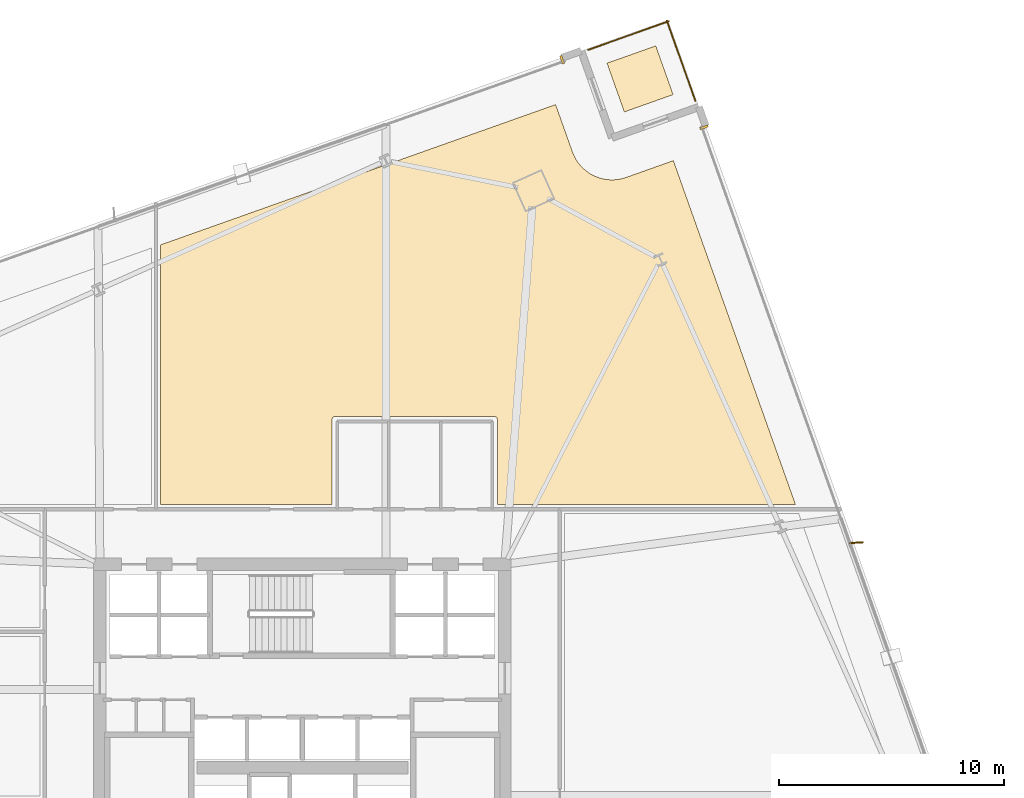
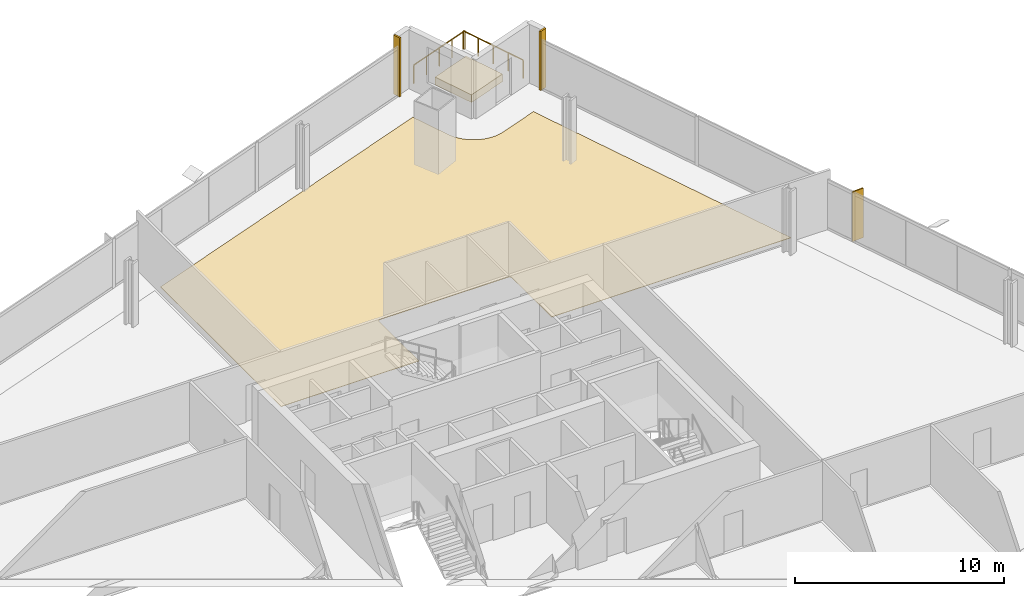
# One storey, part 33 of 33: 4 coverings, 2 railings, 1 shading device.
"""IFC4 building model written with IfcOpenShell, lengths in metres."""

from ifc_helpers import new_model, si_unit, direction, frame, origin, origin_2d, place, context, subcontext, project, spatial, polyline, rectangle, outline, extrude, source, transform, mapped, material, layer, layer_set, type_object, element, save


model = new_model("IFC4")

# Units and contexts
model_context = context("Model", 3, precision=1e-05, world=origin(), true_north=direction((0.0, 1.0)))
body_context = subcontext(model_context, "Body", "Model", "MODEL_VIEW")
ifc_project = project(units=[si_unit("LENGTHUNIT", "METRE"), si_unit("AREAUNIT", "SQUARE_METRE"), si_unit("VOLUMEUNIT", "CUBIC_METRE"), si_unit("PLANEANGLEUNIT", "RADIAN"), si_unit("MASSUNIT", "GRAM", prefix="KILO")], contexts=[model_context])

# Site, building, storey
site_placement = place(None, origin())
site = spatial("IfcSite", under=ifc_project, at=site_placement, CompositionType="ELEMENT")
building_placement = place(site_placement, origin())
building = spatial("IfcBuilding", under=site, at=building_placement, Name="Haldenkirk Collegiate Tower", CompositionType="ELEMENT")
storey_placement = place(building_placement, frame((0.0, 0.0, 94.199951171875)))
storey = spatial("IfcBuildingStorey", under=building, at=storey_placement, Name="L22", CompositionType="ELEMENT", Elevation=94.199951171875)

# Coverings
ifc_material_1 = material(Name="Engineered collegiate oak acoustic flooring", Category="wood")
ifc_layer_1 = layer(ifc_material_1, 0.02197265625)
ifc_layer_set_1 = layer_set([ifc_layer_1], Name="Engineered collegiate oak acoustic flooring")
covering_type_1 = type_object("IfcCoveringType", Name="COV-FLOOR-TIMBER", PredefinedType="FLOORING", material=ifc_layer_set_1)
covering_1_placement = place(storey_placement, origin())
element("IfcCovering", 1, at=covering_1_placement, inside=storey, type_object=covering_type_1, Name="L22 academic room finish 07", PredefinedType="FLOORING", context=body_context, shape_type="SweptSolid", body=[
    extrude(outline(polyline([(47.262939453125, 54.4384765625), (48.00927734375, 52.3369140625), (48.01123046875, 52.33154296875), (48.07666015625, 52.172607421875), (48.08154296875, 52.162109375), (48.162109375, 52.01025390625), (48.168212890625, 52.0), (48.263427734375, 51.857177734375), (48.2705078125, 51.84765625), (48.37890625, 51.714599609375), (48.386962890625, 51.705810546875), (48.508056640625, 51.584228515625), (48.5166015625, 51.576416015625), (48.649169921875, 51.467041015625), (48.65869140625, 51.4599609375), (48.801025390625, 51.3642578125), (48.811279296875, 51.358154296875), (48.962646484375, 51.27685546875), (48.97314453125, 51.271728515625), (49.131591796875, 51.20556640625), (49.142822265625, 51.20166015625), (49.306884765625, 51.1513671875), (49.318359375, 51.148681640625), (49.48681640625, 51.11474609375), (49.498291015625, 51.11279296875), (49.669189453125, 51.095703125), (49.680908203125, 51.094970703125), (49.852783203125, 51.094482421875), (49.864501953125, 51.09521484375), (50.035400390625, 51.111572265625), (50.047119140625, 51.11328125), (50.2158203125, 51.146240234375), (50.227294921875, 51.149169921875), (50.3916015625, 51.19873046875), (50.397216796875, 51.200439453125), (52.49853515625, 51.94677734375), (57.930419921875, 36.64990234375), (44.669921875, 36.64990234375), (44.669921875, 40.449951171875), (44.66943359375, 40.4619140625), (44.667724609375, 40.473388671875), (44.664794921875, 40.48486328125), (44.660888671875, 40.495849609375), (44.65576171875, 40.506591796875), (44.64990234375, 40.5166015625), (44.642822265625, 40.526123046875), (44.635009765625, 40.534912109375), (44.626220703125, 40.542724609375), (44.61669921875, 40.5498046875), (44.606689453125, 40.555908203125), (44.595947265625, 40.560791015625), (44.584716796875, 40.564697265625), (44.573486328125, 40.567626953125), (44.561767578125, 40.5693359375), (44.550048828125, 40.570068359375), (37.449951171875, 40.570068359375), (37.438232421875, 40.5693359375), (37.426513671875, 40.567626953125), (37.415283203125, 40.564697265625), (37.404052734375, 40.560791015625), (37.393310546875, 40.555908203125), (37.38330078125, 40.5498046875), (37.373779296875, 40.542724609375), (37.364990234375, 40.534912109375), (37.357177734375, 40.526123046875), (37.35009765625, 40.5166015625), (37.34423828125, 40.506591796875), (37.339111328125, 40.495849609375), (37.335205078125, 40.48486328125), (37.332275390625, 40.473388671875), (37.33056640625, 40.4619140625), (37.330078125, 40.449951171875), (37.330078125, 36.64990234375), (29.699951171875, 36.64990234375), (29.699951171875, 48.201904296875), (47.262939453125, 54.4384765625)])), origin(), (0.0, 0.0, 1.0), 0.02197265625),
])
ifc_material_2 = material(Name="Precast concrete f'c 40 MPa", Category="concrete")
ifc_layer_2 = layer(ifc_material_2, 0.449951171875)
ifc_layer_set_2 = layer_set([ifc_layer_2], Name="Precast concrete f'c 40 MPa")
covering_type_2 = type_object("IfcCoveringType", Name="COV-PLANTER-450", PredefinedType="USERDEFINED", material=ifc_layer_set_2)
covering_2_placement = place(storey_placement, origin())
element("IfcCovering", 2, at=covering_2_placement, inside=storey, type_object=covering_type_2, Name="L22 planted garden planter bed", ObjectType="PLANTER", PredefinedType="USERDEFINED", context=body_context, shape_type="SweptSolid", body=[
    extrude(outline(polyline([(50.318359375, 54.112060546875), (49.548583984375, 56.279296875), (51.716064453125, 57.049072265625), (52.485595703125, 54.881591796875), (50.318359375, 54.112060546875)])), origin(), (0.0, 0.0, 1.0), 0.449951171875),
])

# Railings
ifc_material_3 = material(Name="Anodised architectural bronze aluminium", Category="aluminium")
railing_type = type_object("IfcRailingType", Name="RLG-TERR-BALUSTRADE-1100", PredefinedType="BALUSTRADE", material=ifc_material_3)
railing_1_placement = place(storey_placement, frame((53.471435546875, 54.6162109375, 0.0)))
element("IfcRailing", 3, at=railing_1_placement, inside=storey, type_object=railing_type, Name="L22 terrace guard balustrade 2-1", PredefinedType="BALUSTRADE", context=body_context, shape_type="SweptSolid", body=[
    extrude(rectangle(XDim=0.048095703125, YDim=0.048095703125, at=origin_2d()), frame((0.0, 0.0, 1.076171875), z_axis=(-0.334633746999, 0.942348266497, 0.0), x_axis=(-0.942348266497, -0.334633746999, 0.0)), (0.0, 0.0, 1.0), 3.780029296875),
    extrude(rectangle(XDim=0.0419921875, YDim=0.0419921875, at=origin_2d()), origin(), (0.0, 0.0, 1.0), 1.052001953125),
    extrude(rectangle(XDim=0.0419921875, YDim=0.0419921875, at=origin_2d()), frame((-0.316162109375, 0.890625, 0.0)), (0.0, 0.0, 1.0), 1.052001953125),
    extrude(rectangle(XDim=0.0419921875, YDim=0.0419921875, at=origin_2d()), frame((-0.63232421875, 1.781005859375, 0.0)), (0.0, 0.0, 1.0), 1.052001953125),
    extrude(rectangle(XDim=0.0419921875, YDim=0.0419921875, at=origin_2d()), frame((-0.94873046875, 2.67138671875, 0.0)), (0.0, 0.0, 1.0), 1.052001953125),
    extrude(rectangle(XDim=0.0419921875, YDim=0.0419921875, at=origin_2d()), frame((-1.264892578125, 3.56201171875, 0.0)), (0.0, 0.0, 1.0), 1.052001953125),
])
railing_2_placement = place(storey_placement, frame((52.283203125, 58.141845703125, 0.0)))
element("IfcRailing", 4, at=railing_2_placement, inside=storey, type_object=railing_type, Name="L22 terrace guard balustrade 3-1", PredefinedType="BALUSTRADE", context=body_context, shape_type="SweptSolid", body=[
    extrude(rectangle(XDim=0.048095703125, YDim=0.048095703125, at=origin_2d()), frame((0.0, 0.0, 1.076171875), z_axis=(-0.942355498456, -0.33461338068, 0.0), x_axis=(0.33461338068, -0.942355498456, 0.0)), (0.0, 0.0, 1.0), 3.7802734375),
    extrude(rectangle(XDim=0.0419921875, YDim=0.0419921875, at=origin_2d()), origin(), (0.0, 0.0, 1.0), 1.052001953125),
    extrude(rectangle(XDim=0.0419921875, YDim=0.0419921875, at=origin_2d()), frame((-0.890625, -0.316162109375, 0.0)), (0.0, 0.0, 1.0), 1.052001953125),
    extrude(rectangle(XDim=0.0419921875, YDim=0.0419921875, at=origin_2d()), frame((-1.78125, -0.63232421875, 0.0)), (0.0, 0.0, 1.0), 1.052001953125),
    extrude(rectangle(XDim=0.0419921875, YDim=0.0419921875, at=origin_2d()), frame((-2.671630859375, -0.94873046875, 0.0)), (0.0, 0.0, 1.0), 1.052001953125),
    extrude(rectangle(XDim=0.0419921875, YDim=0.0419921875, at=origin_2d()), frame((-3.562255859375, -1.264892578125, 0.0)), (0.0, 0.0, 1.0), 1.052001953125),
])

# Coverings
ifc_layer_3 = layer(ifc_material_3, 0.06005859375)
ifc_layer_set_3 = layer_set([ifc_layer_3], Name="Anodised architectural bronze aluminium")
covering_type_3 = type_object("IfcCoveringType", Name="COV-CLAD-BRONZE-60", PredefinedType="CLADDING", material=ifc_layer_set_3)
shared_shape_1 = source(origin(), body_context, "Body", "SweptSolid", [
    extrude(rectangle(XDim=0.10009765625, YDim=0.3798828125, at=origin_2d()), origin(), (0.0, 0.0, 1.0), 3.449951171875),
])
for number, where, z_axis, x_axis, name in (
    (5, (53.861328125, 53.42822265625, 0.0), (0.0, 0.0, 1.0), (0.334629341909, -0.94234983076, 0.0), "L22 recessed curtain-wall bronze jamb closure EJL"),
    (6, (47.552978515625, 56.430419921875, 0.0), (0.0, 0.0, 1.0), (0.94234983076, 0.334629341909, 0.0), "L22 recessed curtain-wall bronze jamb closure NJR"),
):
    element("IfcCovering", number, at=place(storey_placement, frame(where, z_axis=z_axis, x_axis=x_axis)), inside=storey, type_object=covering_type_3, Name=name, PredefinedType="CLADDING", context=body_context, shape_type="MappedRepresentation", body=[
        mapped(shared_shape_1, transform((0.0, 0.0, 0.0), x_axis=(1.0, 0.0, 0.0), y_axis=(0.0, 1.0, 0.0), z_axis=(0.0, 0.0, 1.0), scale=1.0)),
    ])

# Shading device
ifc_layer_4 = layer(ifc_material_3, 0.06494140625)
ifc_layer_set_4 = layer_set([ifc_layer_4], Name="Anodised architectural bronze aluminium")
shading_device_type = type_object("IfcShadingDeviceType", Name="SHD-FIN-BRONZE-620", PredefinedType="USERDEFINED", material=ifc_layer_set_4)
shared_shape_2 = source(origin(), body_context, "Body", "SweptSolid", [
    extrude(rectangle(XDim=0.6201171875, YDim=0.06494140625, at=origin_2d()), origin(), (0.0, 0.0, 1.0), 2.90087890625),
])
shading_device_placement = place(storey_placement, frame((60.63671875, 34.960693359375, 0.0), z_axis=(0.0, 0.0, 1.0), x_axis=(0.998081143466, 0.061919553109, 0.0)))
element("IfcShadingDevice", 7, at=shading_device_placement, inside=storey, type_object=shading_device_type, Name="L22 folded bronze solar fin 1", ObjectType="FIN", PredefinedType="USERDEFINED", context=body_context, shape_type="MappedRepresentation", body=[
    mapped(shared_shape_2, transform((0.0, 0.0, 0.0), x_axis=(1.0, 0.0, 0.0), y_axis=(0.0, 1.0, 0.0), z_axis=(0.0, 0.0, 1.0), scale=1.0)),
])

save(model, "model.ifc")
